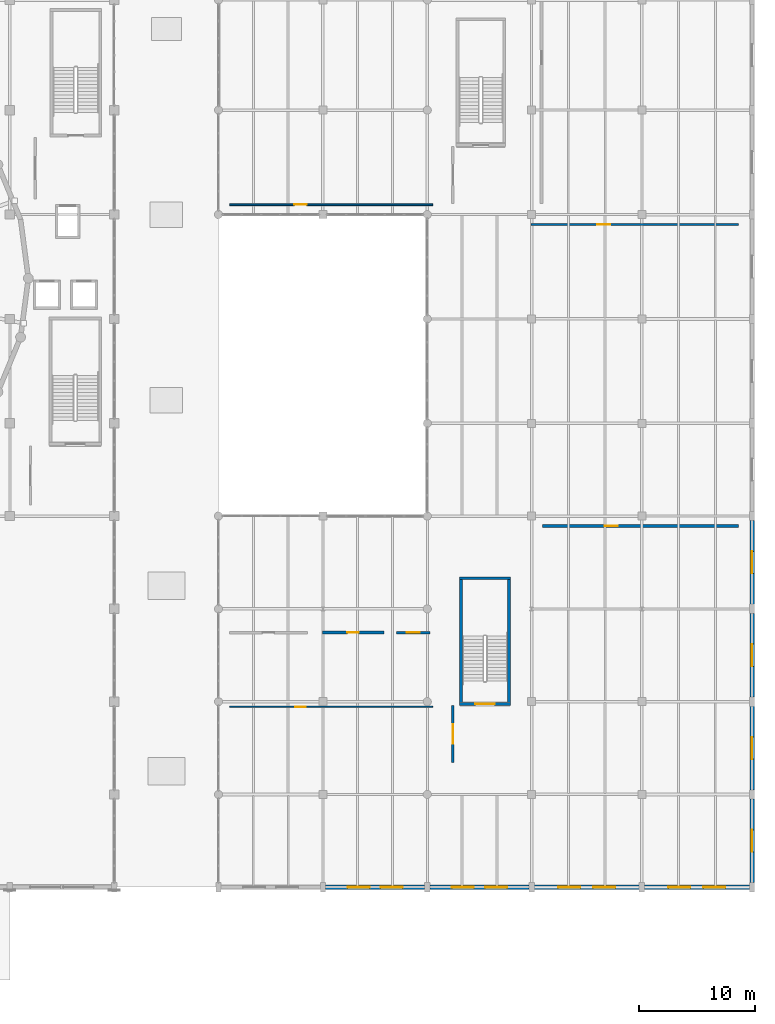
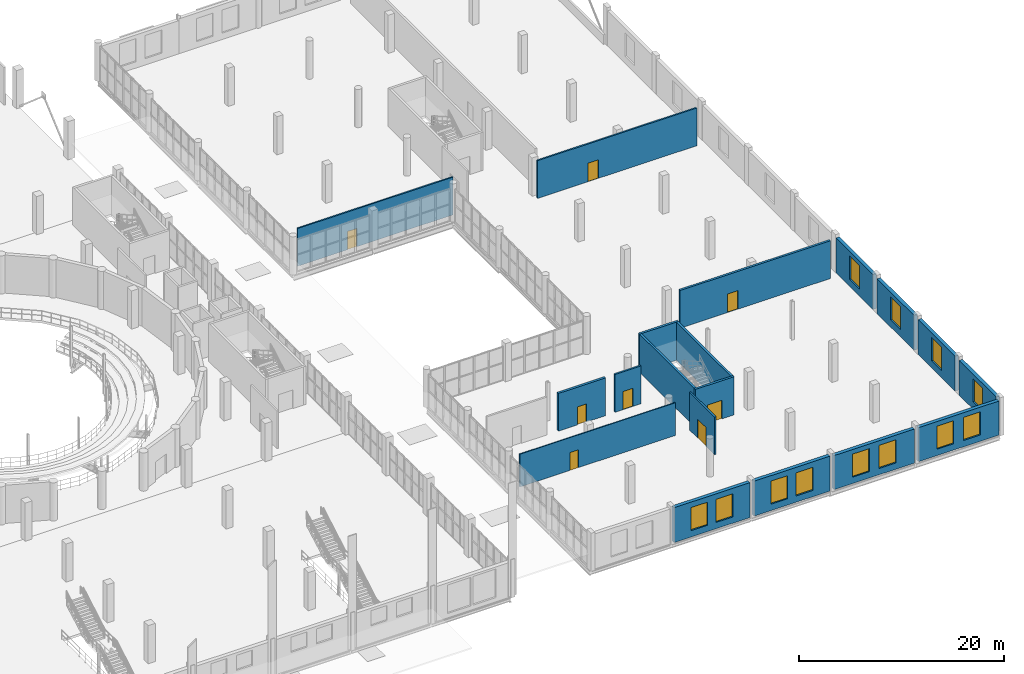
# One storey, part 75 of 93: 19 walls, 12 windows, 8 doors, 20 openings.
"""IFC4 building model written with IfcOpenShell, lengths in metres."""

from ifc_helpers import new_model, si_unit, direction, frame, frame_2d, origin, place, context, subcontext, project, spatial, rectangle, extrude, material, layer, layer_set, type_object, element, fill, save


model = new_model("IFC4")

# Units and contexts
model_context = context("Model", 3, precision=1e-05, world=origin(), true_north=direction((0.0, 1.0)))
body_context = subcontext(model_context, "Body", "Model", "MODEL_VIEW")
ifc_project = project(units=[si_unit("LENGTHUNIT", "METRE"), si_unit("AREAUNIT", "SQUARE_METRE"), si_unit("VOLUMEUNIT", "CUBIC_METRE"), si_unit("PLANEANGLEUNIT", "RADIAN"), si_unit("MASSUNIT", "GRAM", prefix="KILO")], contexts=[model_context])

# Site, building, storey
site_placement = place(None, origin())
site = spatial("IfcSite", under=ifc_project, at=site_placement, CompositionType="ELEMENT")
building_placement = place(site_placement, origin())
building = spatial("IfcBuilding", under=site, at=building_placement, Name="Marnock Terrace Opera House", CompositionType="ELEMENT")
storey_placement = place(building_placement, frame((0.0, 0.0, 5.39990234375)))
storey = spatial("IfcBuildingStorey", under=building, at=storey_placement, Name="L01", CompositionType="ELEMENT", Elevation=5.39990234375)

# Wall, openings, windows
ifc_material_1 = material(Name="Basket Range sandstone ashlar masonry", Category="masonry")
ifc_layer_1 = layer(ifc_material_1, 0.389892578125)
ifc_layer_set_1 = layer_set([ifc_layer_1], Name="Basket Range sandstone ashlar masonry")
wall_type_1 = type_object("IfcWallType", Name="EW-ASHLAR-390", PredefinedType="SOLIDWALL", material=ifc_layer_set_1)
wall_1_placement = place(storey_placement, frame((127.220947265625, 8.0, 0.0), z_axis=(0.0, 0.0, 1.0), x_axis=(1.0, 0.0, 0.0)))
wall_1 = element("IfcWall", 1, at=wall_1_placement, inside=storey, type_object=wall_type_1, Name="L01 Volume 5 south sandstone facade 2", PredefinedType="SOLIDWALL", context=body_context, shape_type="SweptSolid", body=[
    extrude(rectangle(XDim=8.55810546875, YDim=0.389892578125, at=frame_2d((4.279052734375, 0.0))), origin(), (0.0, 0.0, 1.0), 4.151611328125),
])
opening_1_placement = place(wall_1_placement, frame((1.902587890625, 0.0, 0.75)))
opening_1 = element("IfcOpeningElement", 2, at=opening_1_placement, cuts=wall_1, Name="Opening WT-25", PredefinedType="OPENING", context=body_context, shape_type="SweptSolid", body=[
    extrude(rectangle(XDim=1.89990234375, YDim=2.75, at=frame_2d((0.949951171875, 1.375))), frame((0.0, 0.204833984375, 0.0), z_axis=(0.0, -1.0, 0.0), x_axis=(1.0, 0.0, 0.0)), (0.0, 0.0, 1.0), 0.409912109375),
])
opening_2_placement = place(wall_1_placement, frame((4.75537109375, 0.0, 0.75)))
opening_2 = element("IfcOpeningElement", 3, at=opening_2_placement, cuts=wall_1, Name="Opening WT-25", PredefinedType="OPENING", context=body_context, shape_type="SweptSolid", body=[
    extrude(rectangle(XDim=1.89990234375, YDim=2.75, at=frame_2d((0.949951171875, 1.375))), frame((0.0, 0.204833984375, 0.0), z_axis=(0.0, -1.0, 0.0), x_axis=(1.0, 0.0, 0.0)), (0.0, 0.0, 1.0), 0.409912109375),
])
ifc_material_2 = material(Name="Double-glazed acoustic low-E laminated glass", Category="glass")
window_type = type_object("IfcWindowType", Name="WT-ARCH-1900", PartitioningType="DOUBLE_PANEL_VERTICAL", PredefinedType="WINDOW", material=ifc_material_2)
window_1_placement = place(opening_1_placement, origin())
window_1 = element("IfcWindow", 4, at=window_1_placement, inside=storey, type_object=window_type, Name="L01 facade window EW-V5S-L01-2.1", OverallHeight=2.75, OverallWidth=1.89990234375, PartitioningType="SINGLE_PANEL", PredefinedType="WINDOW", context=body_context, shape_type="SweptSolid", body=[
    extrude(rectangle(XDim=1.89990234375, YDim=2.75, at=frame_2d((0.949951171875, 1.375))), frame((0.0, 0.030029296875, 0.0), z_axis=(0.0, -1.0, 0.0), x_axis=(1.0, 0.0, 0.0)), (0.0, 0.0, 1.0), 0.06005859375),
])
fill(opening_1, window_1)
window_2_placement = place(opening_2_placement, origin())
window_2 = element("IfcWindow", 5, at=window_2_placement, inside=storey, type_object=window_type, Name="L01 facade window EW-V5S-L01-2.2", OverallHeight=2.75, OverallWidth=1.89990234375, PartitioningType="SINGLE_PANEL", PredefinedType="WINDOW", context=body_context, shape_type="SweptSolid", body=[
    extrude(rectangle(XDim=1.89990234375, YDim=2.75, at=frame_2d((0.949951171875, 1.375))), frame((0.0, 0.030029296875, 0.0), z_axis=(0.0, -1.0, 0.0), x_axis=(1.0, 0.0, 0.0)), (0.0, 0.0, 1.0), 0.06005859375),
])
fill(opening_2, window_2)

wall_2_placement = place(storey_placement, frame((136.220947265625, 8.0, 0.0), z_axis=(0.0, 0.0, 1.0), x_axis=(1.0, 0.0, 0.0)))
wall_2 = element("IfcWall", 6, at=wall_2_placement, inside=storey, type_object=wall_type_1, Name="L01 Volume 5 south sandstone facade 3", PredefinedType="SOLIDWALL", context=body_context, shape_type="SweptSolid", body=[
    extrude(rectangle(XDim=8.55810546875, YDim=0.389892578125, at=frame_2d((4.279052734375, 0.0))), origin(), (0.0, 0.0, 1.0), 4.151611328125),
])
opening_3_placement = place(wall_2_placement, frame((1.902587890625, 0.0, 0.75)))
opening_3 = element("IfcOpeningElement", 7, at=opening_3_placement, cuts=wall_2, Name="Opening WT-25", PredefinedType="OPENING", context=body_context, shape_type="SweptSolid", body=[
    extrude(rectangle(XDim=1.89990234375, YDim=2.75, at=frame_2d((0.949951171875, 1.375))), frame((0.0, 0.204833984375, 0.0), z_axis=(0.0, -1.0, 0.0), x_axis=(1.0, 0.0, 0.0)), (0.0, 0.0, 1.0), 0.409912109375),
])
opening_4_placement = place(wall_2_placement, frame((4.75537109375, 0.0, 0.75)))
opening_4 = element("IfcOpeningElement", 8, at=opening_4_placement, cuts=wall_2, Name="Opening WT-25", PredefinedType="OPENING", context=body_context, shape_type="SweptSolid", body=[
    extrude(rectangle(XDim=1.89990234375, YDim=2.75, at=frame_2d((0.949951171875, 1.375))), frame((0.0, 0.204833984375, 0.0), z_axis=(0.0, -1.0, 0.0), x_axis=(1.0, 0.0, 0.0)), (0.0, 0.0, 1.0), 0.409912109375),
])
window_3_placement = place(opening_3_placement, origin())
window_3 = element("IfcWindow", 9, at=window_3_placement, inside=storey, type_object=window_type, Name="L01 facade window EW-V5S-L01-3.1", OverallHeight=2.75, OverallWidth=1.89990234375, PartitioningType="SINGLE_PANEL", PredefinedType="WINDOW", context=body_context, shape_type="SweptSolid", body=[
    extrude(rectangle(XDim=1.89990234375, YDim=2.75, at=frame_2d((0.949951171875, 1.375))), frame((0.0, 0.030029296875, 0.0), z_axis=(0.0, -1.0, 0.0), x_axis=(1.0, 0.0, 0.0)), (0.0, 0.0, 1.0), 0.06005859375),
])
fill(opening_3, window_3)
window_4_placement = place(opening_4_placement, origin())
window_4 = element("IfcWindow", 10, at=window_4_placement, inside=storey, type_object=window_type, Name="L01 facade window EW-V5S-L01-3.2", OverallHeight=2.75, OverallWidth=1.89990234375, PartitioningType="SINGLE_PANEL", PredefinedType="WINDOW", context=body_context, shape_type="SweptSolid", body=[
    extrude(rectangle(XDim=1.89990234375, YDim=2.75, at=frame_2d((0.949951171875, 1.375))), frame((0.0, 0.030029296875, 0.0), z_axis=(0.0, -1.0, 0.0), x_axis=(1.0, 0.0, 0.0)), (0.0, 0.0, 1.0), 0.06005859375),
])
fill(opening_4, window_4)

wall_3_placement = place(storey_placement, frame((145.220947265625, 8.0, 0.0), z_axis=(0.0, 0.0, 1.0), x_axis=(1.0, 0.0, 0.0)))
wall_3 = element("IfcWall", 11, at=wall_3_placement, inside=storey, type_object=wall_type_1, Name="L01 Volume 5 south sandstone facade 4", PredefinedType="SOLIDWALL", context=body_context, shape_type="SweptSolid", body=[
    extrude(rectangle(XDim=9.05810546875, YDim=0.389892578125, at=frame_2d((4.529052734375, 0.0))), origin(), (0.0, 0.0, 1.0), 4.0498046875),
])
opening_5_placement = place(wall_3_placement, frame((2.0693359375, 0.0, 0.75)))
opening_5 = element("IfcOpeningElement", 12, at=opening_5_placement, cuts=wall_3, Name="Opening WT-25", PredefinedType="OPENING", context=body_context, shape_type="SweptSolid", body=[
    extrude(rectangle(XDim=1.89990234375, YDim=2.75, at=frame_2d((0.949951171875, 1.375))), frame((0.0, 0.204833984375, 0.0), z_axis=(0.0, -1.0, 0.0), x_axis=(1.0, 0.0, 0.0)), (0.0, 0.0, 1.0), 0.409912109375),
])
opening_6_placement = place(wall_3_placement, frame((5.088623046875, 0.0, 0.75)))
opening_6 = element("IfcOpeningElement", 13, at=opening_6_placement, cuts=wall_3, Name="Opening WT-25", PredefinedType="OPENING", context=body_context, shape_type="SweptSolid", body=[
    extrude(rectangle(XDim=1.89990234375, YDim=2.75, at=frame_2d((0.949951171875, 1.375))), frame((0.0, 0.204833984375, 0.0), z_axis=(0.0, -1.0, 0.0), x_axis=(1.0, 0.0, 0.0)), (0.0, 0.0, 1.0), 0.409912109375),
])
window_5_placement = place(opening_5_placement, origin())
window_5 = element("IfcWindow", 14, at=window_5_placement, inside=storey, type_object=window_type, Name="L01 facade window EW-V5S-L01-4.1", OverallHeight=2.75, OverallWidth=1.89990234375, PartitioningType="SINGLE_PANEL", PredefinedType="WINDOW", context=body_context, shape_type="SweptSolid", body=[
    extrude(rectangle(XDim=1.89990234375, YDim=2.75, at=frame_2d((0.949951171875, 1.375))), frame((0.0, 0.030029296875, 0.0), z_axis=(0.0, -1.0, 0.0), x_axis=(1.0, 0.0, 0.0)), (0.0, 0.0, 1.0), 0.06005859375),
])
fill(opening_5, window_5)
window_6_placement = place(opening_6_placement, origin())
window_6 = element("IfcWindow", 15, at=window_6_placement, inside=storey, type_object=window_type, Name="L01 facade window EW-V5S-L01-4.2", OverallHeight=2.75, OverallWidth=1.89990234375, PartitioningType="SINGLE_PANEL", PredefinedType="WINDOW", context=body_context, shape_type="SweptSolid", body=[
    extrude(rectangle(XDim=1.89990234375, YDim=2.75, at=frame_2d((0.949951171875, 1.375))), frame((0.0, 0.030029296875, 0.0), z_axis=(0.0, -1.0, 0.0), x_axis=(1.0, 0.0, 0.0)), (0.0, 0.0, 1.0), 0.06005859375),
])
fill(opening_6, window_6)

wall_4_placement = place(storey_placement, frame((154.720947265625, 8.0, 0.0), z_axis=(0.0, 0.0, 1.0), x_axis=(1.0, 0.0, 0.0)))
wall_4 = element("IfcWall", 16, at=wall_4_placement, inside=storey, type_object=wall_type_1, Name="L01 Volume 5 south sandstone facade 5", PredefinedType="SOLIDWALL", context=body_context, shape_type="SweptSolid", body=[
    extrude(rectangle(XDim=9.05810546875, YDim=0.389892578125, at=frame_2d((4.529052734375, 0.0))), origin(), (0.0, 0.0, 1.0), 4.0498046875),
])
opening_7_placement = place(wall_4_placement, frame((2.0693359375, 0.0, 0.75)))
opening_7 = element("IfcOpeningElement", 17, at=opening_7_placement, cuts=wall_4, Name="Opening WT-25", PredefinedType="OPENING", context=body_context, shape_type="SweptSolid", body=[
    extrude(rectangle(XDim=1.89990234375, YDim=2.75, at=frame_2d((0.949951171875, 1.375))), frame((0.0, 0.204833984375, 0.0), z_axis=(0.0, -1.0, 0.0), x_axis=(1.0, 0.0, 0.0)), (0.0, 0.0, 1.0), 0.409912109375),
])
opening_8_placement = place(wall_4_placement, frame((5.088623046875, 0.0, 0.75)))
opening_8 = element("IfcOpeningElement", 18, at=opening_8_placement, cuts=wall_4, Name="Opening WT-25", PredefinedType="OPENING", context=body_context, shape_type="SweptSolid", body=[
    extrude(rectangle(XDim=1.89990234375, YDim=2.75, at=frame_2d((0.949951171875, 1.375))), frame((0.0, 0.204833984375, 0.0), z_axis=(0.0, -1.0, 0.0), x_axis=(1.0, 0.0, 0.0)), (0.0, 0.0, 1.0), 0.409912109375),
])
window_7_placement = place(opening_7_placement, origin())
window_7 = element("IfcWindow", 19, at=window_7_placement, inside=storey, type_object=window_type, Name="L01 facade window EW-V5S-L01-5.1", OverallHeight=2.75, OverallWidth=1.89990234375, PartitioningType="SINGLE_PANEL", PredefinedType="WINDOW", context=body_context, shape_type="SweptSolid", body=[
    extrude(rectangle(XDim=1.89990234375, YDim=2.75, at=frame_2d((0.949951171875, 1.375))), frame((0.0, 0.030029296875, 0.0), z_axis=(0.0, -1.0, 0.0), x_axis=(1.0, 0.0, 0.0)), (0.0, 0.0, 1.0), 0.06005859375),
])
fill(opening_7, window_7)
window_8_placement = place(opening_8_placement, origin())
window_8 = element("IfcWindow", 20, at=window_8_placement, inside=storey, type_object=window_type, Name="L01 facade window EW-V5S-L01-5.2", OverallHeight=2.75, OverallWidth=1.89990234375, PartitioningType="SINGLE_PANEL", PredefinedType="WINDOW", context=body_context, shape_type="SweptSolid", body=[
    extrude(rectangle(XDim=1.89990234375, YDim=2.75, at=frame_2d((0.949951171875, 1.375))), frame((0.0, 0.030029296875, 0.0), z_axis=(0.0, -1.0, 0.0), x_axis=(1.0, 0.0, 0.0)), (0.0, 0.0, 1.0), 0.06005859375),
])
fill(opening_8, window_8)

# Wall, opening, window
wall_5_placement = place(storey_placement, frame((164.0, 8.39599609375, 0.0), z_axis=(0.0, 0.0, 1.0), x_axis=(0.0, 1.0, 0.0)))
wall_5 = element("IfcWall", 21, at=wall_5_placement, inside=storey, type_object=wall_type_1, Name="L01 Volume 5 east sandstone facade 1", PredefinedType="SOLIDWALL", context=body_context, shape_type="SweptSolid", body=[
    extrude(rectangle(XDim=7.2080078125, YDim=0.389892578125, at=frame_2d((3.60400390625, 0.0))), origin(), (0.0, 0.0, 1.0), 4.151611328125),
])
opening_9_placement = place(wall_5_placement, frame((2.654052734375, 0.0, 0.85009765625)))
opening_9 = element("IfcOpeningElement", 22, at=opening_9_placement, cuts=wall_5, Name="Opening WT-25", PredefinedType="OPENING", context=body_context, shape_type="SweptSolid", body=[
    extrude(rectangle(XDim=1.89990234375, YDim=2.75, at=frame_2d((0.949951171875, 1.375))), frame((0.0, 0.204833984375, 0.0), z_axis=(0.0, -1.0, 0.0), x_axis=(1.0, 0.0, 0.0)), (0.0, 0.0, 1.0), 0.409912109375),
])
window_9_placement = place(opening_9_placement, origin())
window_9 = element("IfcWindow", 23, at=window_9_placement, inside=storey, type_object=window_type, Name="L01 facade window EW-V5E-L01-01.1", OverallHeight=2.75, OverallWidth=1.89990234375, PartitioningType="SINGLE_PANEL", PredefinedType="WINDOW", context=body_context, shape_type="SweptSolid", body=[
    extrude(rectangle(XDim=1.89990234375, YDim=2.75, at=frame_2d((0.949951171875, 1.375))), frame((0.0, 0.030029296875, 0.0), z_axis=(0.0, -1.0, 0.0), x_axis=(1.0, 0.0, 0.0)), (0.0, 0.0, 1.0), 0.06005859375),
])
fill(opening_9, window_9)

wall_6_placement = place(storey_placement, frame((164.0, 16.39599609375, 0.0), z_axis=(0.0, 0.0, 1.0), x_axis=(0.0, 1.0, 0.0)))
wall_6 = element("IfcWall", 24, at=wall_6_placement, inside=storey, type_object=wall_type_1, Name="L01 Volume 5 east sandstone facade 2", PredefinedType="SOLIDWALL", context=body_context, shape_type="SweptSolid", body=[
    extrude(rectangle(XDim=7.2080078125, YDim=0.389892578125, at=frame_2d((3.60400390625, 0.0))), origin(), (0.0, 0.0, 1.0), 4.151611328125),
])
opening_10_placement = place(wall_6_placement, frame((2.654052734375, 0.0, 0.85009765625)))
opening_10 = element("IfcOpeningElement", 25, at=opening_10_placement, cuts=wall_6, Name="Opening WT-25", PredefinedType="OPENING", context=body_context, shape_type="SweptSolid", body=[
    extrude(rectangle(XDim=1.89990234375, YDim=2.75, at=frame_2d((0.949951171875, 1.375))), frame((0.0, 0.204833984375, 0.0), z_axis=(0.0, -1.0, 0.0), x_axis=(1.0, 0.0, 0.0)), (0.0, 0.0, 1.0), 0.409912109375),
])
window_10_placement = place(opening_10_placement, origin())
window_10 = element("IfcWindow", 26, at=window_10_placement, inside=storey, type_object=window_type, Name="L01 facade window EW-V5E-L01-02.1", OverallHeight=2.75, OverallWidth=1.89990234375, PartitioningType="SINGLE_PANEL", PredefinedType="WINDOW", context=body_context, shape_type="SweptSolid", body=[
    extrude(rectangle(XDim=1.89990234375, YDim=2.75, at=frame_2d((0.949951171875, 1.375))), frame((0.0, 0.030029296875, 0.0), z_axis=(0.0, -1.0, 0.0), x_axis=(1.0, 0.0, 0.0)), (0.0, 0.0, 1.0), 0.06005859375),
])
fill(opening_10, window_10)

wall_7_placement = place(storey_placement, frame((164.0, 24.39599609375, 0.0), z_axis=(0.0, 0.0, 1.0), x_axis=(0.0, 1.0, 0.0)))
wall_7 = element("IfcWall", 27, at=wall_7_placement, inside=storey, type_object=wall_type_1, Name="L01 Volume 5 east sandstone facade 3", PredefinedType="SOLIDWALL", context=body_context, shape_type="SweptSolid", body=[
    extrude(rectangle(XDim=7.2080078125, YDim=0.389892578125, at=frame_2d((3.60400390625, 0.0))), origin(), (0.0, 0.0, 1.0), 4.151611328125),
])
opening_11_placement = place(wall_7_placement, frame((2.654052734375, 0.0, 0.85009765625)))
opening_11 = element("IfcOpeningElement", 28, at=opening_11_placement, cuts=wall_7, Name="Opening WT-25", PredefinedType="OPENING", context=body_context, shape_type="SweptSolid", body=[
    extrude(rectangle(XDim=1.89990234375, YDim=2.75, at=frame_2d((0.949951171875, 1.375))), frame((0.0, 0.204833984375, 0.0), z_axis=(0.0, -1.0, 0.0), x_axis=(1.0, 0.0, 0.0)), (0.0, 0.0, 1.0), 0.409912109375),
])
window_11_placement = place(opening_11_placement, origin())
window_11 = element("IfcWindow", 29, at=window_11_placement, inside=storey, type_object=window_type, Name="L01 facade window EW-V5E-L01-03.1", OverallHeight=2.75, OverallWidth=1.89990234375, PartitioningType="SINGLE_PANEL", PredefinedType="WINDOW", context=body_context, shape_type="SweptSolid", body=[
    extrude(rectangle(XDim=1.89990234375, YDim=2.75, at=frame_2d((0.949951171875, 1.375))), frame((0.0, 0.030029296875, 0.0), z_axis=(0.0, -1.0, 0.0), x_axis=(1.0, 0.0, 0.0)), (0.0, 0.0, 1.0), 0.06005859375),
])
fill(opening_11, window_11)

wall_8_placement = place(storey_placement, frame((164.0, 32.39599609375, 0.0), z_axis=(0.0, 0.0, 1.0), x_axis=(0.0, 1.0, 0.0)))
wall_8 = element("IfcWall", 30, at=wall_8_placement, inside=storey, type_object=wall_type_1, Name="L01 Volume 5 east sandstone facade 4", PredefinedType="SOLIDWALL", context=body_context, shape_type="SweptSolid", body=[
    extrude(rectangle(XDim=7.2080078125, YDim=0.389892578125, at=frame_2d((3.60400390625, 0.0))), origin(), (0.0, 0.0, 1.0), 4.151611328125),
])
opening_12_placement = place(wall_8_placement, frame((2.654052734375, 0.0, 0.85009765625)))
opening_12 = element("IfcOpeningElement", 31, at=opening_12_placement, cuts=wall_8, Name="Opening WT-25", PredefinedType="OPENING", context=body_context, shape_type="SweptSolid", body=[
    extrude(rectangle(XDim=1.89990234375, YDim=2.75, at=frame_2d((0.949951171875, 1.375))), frame((0.0, 0.204833984375, 0.0), z_axis=(0.0, -1.0, 0.0), x_axis=(1.0, 0.0, 0.0)), (0.0, 0.0, 1.0), 0.409912109375),
])
window_12_placement = place(opening_12_placement, origin())
window_12 = element("IfcWindow", 32, at=window_12_placement, inside=storey, type_object=window_type, Name="L01 facade window EW-V5E-L01-04.1", OverallHeight=2.75, OverallWidth=1.89990234375, PartitioningType="SINGLE_PANEL", PredefinedType="WINDOW", context=body_context, shape_type="SweptSolid", body=[
    extrude(rectangle(XDim=1.89990234375, YDim=2.75, at=frame_2d((0.949951171875, 1.375))), frame((0.0, 0.030029296875, 0.0), z_axis=(0.0, -1.0, 0.0), x_axis=(1.0, 0.0, 0.0)), (0.0, 0.0, 1.0), 0.06005859375),
])
fill(opening_12, window_12)

# Wall, opening, door
ifc_material_3 = material(Name="Double-stud acoustic plasterboard with mineral-wool infill")
ifc_layer_2 = layer(ifc_material_3, 0.239990234375)
ifc_layer_set_2 = layer_set([ifc_layer_2], Name="Double-stud acoustic plasterboard with mineral-wool infill")
wall_type_2 = type_object("IfcWallType", Name="IW-ACOUSTIC-240", PredefinedType="PARTITIONING", material=ifc_layer_set_2)
wall_9_placement = place(storey_placement, frame((145.949951171875, 39.14990234375, 0.0), z_axis=(0.0, 0.0, 1.0), x_axis=(1.0, 0.0, 0.0)))
wall_9 = element("IfcWall", 33, at=wall_9_placement, inside=storey, type_object=wall_type_2, Name="L01 Principal Dressing Room 03 acoustic partition wall", PredefinedType="PARTITIONING", context=body_context, shape_type="SweptSolid", body=[
    extrude(rectangle(XDim=16.900146484375, YDim=0.239990234375, at=frame_2d((8.4501953125, 0.0))), origin(), (0.0, 0.0, 1.0), 4.489990234375),
])
opening_13_placement = place(wall_9_placement, frame((5.344970703125, 0.0, 0.0)))
opening_13 = element("IfcOpeningElement", 34, at=opening_13_placement, cuts=wall_9, Name="Opening D-L01-21", PredefinedType="OPENING", context=body_context, shape_type="SweptSolid", body=[
    extrude(rectangle(XDim=1.139892578125, YDim=2.199951171875, at=frame_2d((0.56982421875, 1.10009765625))), frame((0.0, 0.1298828125, 0.0), z_axis=(0.0, -1.0, 0.0), x_axis=(1.0, 0.0, 0.0)), (0.0, 0.0, 1.0), 0.260009765625),
])
ifc_material_4 = material(Name="Solid-core Tasmanian oak acoustic door leaf")
door_type_1 = type_object("IfcDoorType", Name="DT-DRESS-1140", OperationType="NOTDEFINED", PredefinedType="DOOR", material=ifc_material_4)
door_1_placement = place(opening_13_placement, origin())
door_1 = element("IfcDoor", 35, at=door_1_placement, inside=storey, type_object=door_type_1, Name="L01 Principal Dressing Room 03 entrance door", OperationType="SINGLE_SWING_RIGHT", OverallHeight=2.199951171875, OverallWidth=1.139892578125, PredefinedType="DOOR", context=body_context, shape_type="SweptSolid", body=[
    extrude(rectangle(XDim=1.139892578125, YDim=2.199951171875, at=frame_2d((0.56982421875, 1.10009765625))), frame((0.0, 0.02490234375, 0.0), z_axis=(0.0, -1.0, 0.0), x_axis=(1.0, 0.0, 0.0)), (0.0, 0.0, 1.0), 0.050048828125),
])
fill(opening_13, door_1)

ifc_material_5 = material(Name="Rendered acoustic concrete blockwork", Category="masonry")
ifc_layer_3 = layer(ifc_material_5, 0.175048828125)
ifc_layer_set_3 = layer_set([ifc_layer_3], Name="Rendered acoustic concrete blockwork")
wall_type_3 = type_object("IfcWallType", Name="IW-FIRE-175", PredefinedType="PARTITIONING", material=ifc_layer_set_3)
wall_10_placement = place(storey_placement, frame((144.949951171875, 65.14990234375, 0.0), z_axis=(0.0, 0.0, 1.0), x_axis=(1.0, 0.0, 0.0)))
wall_10 = element("IfcWall", 36, at=wall_10_placement, inside=storey, type_object=wall_type_3, Name="L01 Chorus Dressing Room Women acoustic partition wall", PredefinedType="PARTITIONING", context=body_context, shape_type="SweptSolid", body=[
    extrude(rectangle(XDim=17.900146484375, YDim=0.175048828125, at=frame_2d((8.9501953125, 0.0))), origin(), (0.0, 0.0, 1.0), 4.489990234375),
])
opening_14_placement = place(wall_10_placement, frame((5.695068359375, 0.0, 0.0)))
opening_14 = element("IfcOpeningElement", 37, at=opening_14_placement, cuts=wall_10, Name="Opening D-L01-23", PredefinedType="OPENING", context=body_context, shape_type="SweptSolid", body=[
    extrude(rectangle(XDim=1.139892578125, YDim=2.199951171875, at=frame_2d((0.56982421875, 1.10009765625))), frame((0.0, 0.097412109375, 0.0), z_axis=(0.0, -1.0, 0.0), x_axis=(1.0, 0.0, 0.0)), (0.0, 0.0, 1.0), 0.195068359375),
])
door_2_placement = place(opening_14_placement, origin())
door_2 = element("IfcDoor", 38, at=door_2_placement, inside=storey, type_object=door_type_1, Name="L01 Chorus Dressing Room Women entrance door", OperationType="SINGLE_SWING_RIGHT", OverallHeight=2.199951171875, OverallWidth=1.139892578125, PredefinedType="DOOR", context=body_context, shape_type="SweptSolid", body=[
    extrude(rectangle(XDim=1.139892578125, YDim=2.199951171875, at=frame_2d((0.56982421875, 1.10009765625))), frame((0.0, 0.02490234375, 0.0), z_axis=(0.0, -1.0, 0.0), x_axis=(1.0, 0.0, 0.0)), (0.0, 0.0, 1.0), 0.050048828125),
])
fill(opening_14, door_2)

ifc_layer_4 = layer(ifc_material_5, 0.18505859375)
ifc_layer_set_4 = layer_set([ifc_layer_4], Name="Rendered acoustic concrete blockwork")
wall_type_4 = type_object("IfcWallType", Name="IW-FIRE-185", PredefinedType="PARTITIONING", material=ifc_layer_set_4)
wall_11_placement = place(storey_placement, frame((138.199951171875, 18.75, 0.0), z_axis=(0.0, 0.0, 1.0), x_axis=(0.0, 1.0, 0.0)))
wall_11 = element("IfcWall", 39, at=wall_11_placement, inside=storey, type_object=wall_type_4, Name="L01 C6 fire-rated lift and stair lobby wall", PredefinedType="PARTITIONING", context=body_context, shape_type="SweptSolid", body=[
    extrude(rectangle(XDim=4.89990234375, YDim=0.18505859375, at=frame_2d((2.449951171875, 0.0))), origin(), (0.0, 0.0, 1.0), 4.489990234375),
])
opening_15_placement = place(wall_11_placement, frame((1.610107421875, 0.0, 0.0)))
opening_15 = element("IfcOpeningElement", 40, at=opening_15_placement, cuts=wall_11, Name="Opening FD-C6-L01", PredefinedType="OPENING", context=body_context, shape_type="SweptSolid", body=[
    extrude(rectangle(XDim=1.679931640625, YDim=2.25, at=frame_2d((0.83984375, 1.125))), frame((0.0, 0.1025390625, 0.0), z_axis=(0.0, -1.0, 0.0), x_axis=(1.0, 0.0, 0.0)), (0.0, 0.0, 1.0), 0.205078125),
])
ifc_material_6 = material(Name="Fire-rated acoustic timber-core door assembly", Category="wood")
door_type_2 = type_object("IfcDoorType", Name="DT-LOBBY-1680", OperationType="NOTDEFINED", PredefinedType="DOOR", material=ifc_material_6)
door_3_placement = place(opening_15_placement, origin())
door_3 = element("IfcDoor", 41, at=door_3_placement, inside=storey, type_object=door_type_2, Name="L01 C6 lobby self-closing smoke door", OperationType="SINGLE_SWING_RIGHT", OverallHeight=2.25, OverallWidth=1.679931640625, PredefinedType="DOOR", context=body_context, shape_type="SweptSolid", body=[
    extrude(rectangle(XDim=1.679931640625, YDim=2.25, at=frame_2d((0.83984375, 1.125))), frame((0.0, 0.02490234375, 0.0), z_axis=(0.0, -1.0, 0.0), x_axis=(1.0, 0.0, 0.0)), (0.0, 0.0, 1.0), 0.050048828125),
])
fill(opening_15, door_3)

ifc_layer_5 = layer(ifc_material_3, 0.10791015625)
ifc_layer_set_5 = layer_set([ifc_layer_5], Name="Double-stud acoustic plasterboard with mineral-wool infill")
wall_type_5 = type_object("IfcWallType", Name="IW-PART-108", PredefinedType="PARTITIONING", material=ifc_layer_set_5)
wall_12_placement = place(storey_placement, frame((118.949951171875, 23.550048828125, 0.0), z_axis=(0.0, 0.0, 1.0), x_axis=(1.0, 0.0, 0.0)))
wall_12 = element("IfcWall", 42, at=wall_12_placement, inside=storey, type_object=wall_type_5, Name="L01 Lyric Terrace Dining Room acoustic partition wall", PredefinedType="PARTITIONING", context=body_context, shape_type="SweptSolid", body=[
    extrude(rectangle(XDim=17.5, YDim=0.10791015625, at=frame_2d((8.75, 0.0))), origin(), (0.0, 0.0, 1.0), 3.8984375),
])
opening_16_placement = place(wall_12_placement, frame((5.6650390625, 0.0, 0.0)))
opening_16 = element("IfcOpeningElement", 43, at=opening_16_placement, cuts=wall_12, Name="Opening D-L01-20", PredefinedType="OPENING", context=body_context, shape_type="SweptSolid", body=[
    extrude(rectangle(XDim=0.919921875, YDim=2.1201171875, at=frame_2d((0.4599609375, 1.06005859375))), frame((0.0, 0.06396484375, 0.0), z_axis=(0.0, -1.0, 0.0), x_axis=(1.0, 0.0, 0.0)), (0.0, 0.0, 1.0), 0.1279296875),
])
door_type_3 = type_object("IfcDoorType", Name="DT-ROOM-920", OperationType="NOTDEFINED", PredefinedType="DOOR", material=ifc_material_4)
door_4_placement = place(opening_16_placement, origin())
door_4 = element("IfcDoor", 44, at=door_4_placement, inside=storey, type_object=door_type_3, Name="L01 Lyric Terrace Dining Room entrance door", OperationType="SINGLE_SWING_LEFT", OverallHeight=2.1201171875, OverallWidth=0.919921875, PredefinedType="DOOR", context=body_context, shape_type="SweptSolid", body=[
    extrude(rectangle(XDim=0.919921875, YDim=2.1201171875, at=frame_2d((0.4599609375, 1.06005859375))), frame((0.0, 0.02490234375, 0.0), z_axis=(0.0, -1.0, 0.0), x_axis=(1.0, 0.0, 0.0)), (0.0, 0.0, 1.0), 0.050048828125),
])
fill(opening_16, door_4)

ifc_layer_6 = layer(ifc_material_3, 0.159912109375)
ifc_layer_set_6 = layer_set([ifc_layer_6], Name="Double-stud acoustic plasterboard with mineral-wool infill")
wall_type_6 = type_object("IfcWallType", Name="IW-PART-160", PredefinedType="PARTITIONING", material=ifc_layer_set_6)
wall_13_placement = place(storey_placement, frame((118.949951171875, 66.85009765625, 0.0), z_axis=(0.0, 0.0, 1.0), x_axis=(1.0, 0.0, 0.0)))
wall_13 = element("IfcWall", 45, at=wall_13_placement, inside=storey, type_object=wall_type_6, Name="L01 Chorus Dressing Room Men acoustic partition wall", PredefinedType="PARTITIONING", context=body_context, shape_type="SweptSolid", body=[
    extrude(rectangle(XDim=17.5, YDim=0.159912109375, at=frame_2d((8.75, 0.0))), origin(), (0.0, 0.0, 1.0), 4.489990234375),
])
opening_17_placement = place(wall_13_placement, frame((5.5849609375, 0.0, 0.0)))
opening_17 = element("IfcOpeningElement", 46, at=opening_17_placement, cuts=wall_13, Name="Opening D-L01-24", PredefinedType="OPENING", context=body_context, shape_type="SweptSolid", body=[
    extrude(rectangle(XDim=1.080078125, YDim=2.179931640625, at=frame_2d((0.5400390625, 1.08984375))), frame((0.0, 0.08984375, 0.0), z_axis=(0.0, -1.0, 0.0), x_axis=(1.0, 0.0, 0.0)), (0.0, 0.0, 1.0), 0.179931640625),
])
door_type_4 = type_object("IfcDoorType", Name="DT-DRESS-1080", OperationType="NOTDEFINED", PredefinedType="DOOR", material=ifc_material_4)
door_5_placement = place(opening_17_placement, origin())
door_5 = element("IfcDoor", 47, at=door_5_placement, inside=storey, type_object=door_type_4, Name="L01 Chorus Dressing Room Men entrance door", OperationType="SINGLE_SWING_LEFT", OverallHeight=2.179931640625, OverallWidth=1.080078125, PredefinedType="DOOR", context=body_context, shape_type="SweptSolid", body=[
    extrude(rectangle(XDim=1.080078125, YDim=2.179931640625, at=frame_2d((0.5400390625, 1.08984375))), frame((0.0, 0.02490234375, 0.0), z_axis=(0.0, -1.0, 0.0), x_axis=(1.0, 0.0, 0.0)), (0.0, 0.0, 1.0), 0.050048828125),
])
fill(opening_17, door_5)

ifc_material_7 = material(Name="Moisture-resistant tiled service duct framing")
ifc_layer_7 = layer(ifc_material_7, 0.205078125)
ifc_layer_set_7 = layer_set([ifc_layer_7], Name="Moisture-resistant tiled service duct framing")
wall_type_7 = type_object("IfcWallType", Name="IW-PLUMB-205", PredefinedType="PLUMBINGWALL", material=ifc_layer_set_7)
wall_14_placement = place(storey_placement, frame((133.35009765625, 29.949951171875, 0.0), z_axis=(0.0, 0.0, 1.0), x_axis=(1.0, 0.0, 0.0)))
wall_14 = element("IfcWall", 48, at=wall_14_placement, inside=storey, type_object=wall_type_7, Name="L01 Accessible WC L01 East acoustic partition wall", PredefinedType="PLUMBINGWALL", context=body_context, shape_type="SweptSolid", body=[
    extrude(rectangle(XDim=2.89990234375, YDim=0.205078125, at=frame_2d((1.449951171875, 0.0))), origin(), (0.0, 0.0, 1.0), 4.489990234375),
])
opening_18_placement = place(wall_14_placement, frame((0.889892578125, 0.0, 0.0)))
opening_18 = element("IfcOpeningElement", 49, at=opening_18_placement, cuts=wall_14, Name="Opening D-L01-30", PredefinedType="OPENING", context=body_context, shape_type="SweptSolid", body=[
    extrude(rectangle(XDim=1.1201171875, YDim=2.159912109375, at=frame_2d((0.56005859375, 1.080078125))), frame((0.0, 0.112548828125, 0.0), z_axis=(0.0, -1.0, 0.0), x_axis=(1.0, 0.0, 0.0)), (0.0, 0.0, 1.0), 0.22509765625),
])
door_type_5 = type_object("IfcDoorType", Name="DT-ACCWC-1120", OperationType="NOTDEFINED", PredefinedType="DOOR", material=ifc_material_4)
door_6_placement = place(opening_18_placement, origin())
door_6 = element("IfcDoor", 50, at=door_6_placement, inside=storey, type_object=door_type_5, Name="L01 Accessible WC L01 East entrance door", OperationType="SINGLE_SWING_RIGHT", OverallHeight=2.159912109375, OverallWidth=1.1201171875, PredefinedType="DOOR", context=body_context, shape_type="SweptSolid", body=[
    extrude(rectangle(XDim=1.1201171875, YDim=2.159912109375, at=frame_2d((0.56005859375, 1.080078125))), frame((0.0, 0.02490234375, 0.0), z_axis=(0.0, -1.0, 0.0), x_axis=(1.0, 0.0, 0.0)), (0.0, 0.0, 1.0), 0.050048828125),
])
fill(opening_18, door_6)

ifc_layer_8 = layer(ifc_material_7, 0.264892578125)
ifc_layer_set_8 = layer_set([ifc_layer_8], Name="Moisture-resistant tiled service duct framing")
wall_type_8 = type_object("IfcWallType", Name="IW-PLUMB-265", PredefinedType="PLUMBINGWALL", material=ifc_layer_set_8)
wall_15_placement = place(storey_placement, frame((126.949951171875, 29.949951171875, 0.0), z_axis=(0.0, 0.0, 1.0), x_axis=(1.0, 0.0, 0.0)))
wall_15 = element("IfcWall", 51, at=wall_15_placement, inside=storey, type_object=wall_type_8, Name="L01 Public WC L01 East acoustic partition wall", PredefinedType="PLUMBINGWALL", context=body_context, shape_type="SweptSolid", body=[
    extrude(rectangle(XDim=5.300048828125, YDim=0.264892578125, at=frame_2d((2.64990234375, 0.0))), origin(), (0.0, 0.0, 1.0), 4.489990234375),
])
opening_19_placement = place(wall_15_placement, frame((2.159912109375, 0.0, 0.0)))
opening_19 = element("IfcOpeningElement", 52, at=opening_19_placement, cuts=wall_15, Name="Opening D-L01-29", PredefinedType="OPENING", context=body_context, shape_type="SweptSolid", body=[
    extrude(rectangle(XDim=0.97998046875, YDim=2.139892578125, at=frame_2d((0.489990234375, 1.06982421875))), frame((0.0, 0.142333984375, 0.0), z_axis=(0.0, -1.0, 0.0), x_axis=(1.0, 0.0, 0.0)), (0.0, 0.0, 1.0), 0.284912109375),
])
door_type_6 = type_object("IfcDoorType", Name="DT-WC-980", OperationType="NOTDEFINED", PredefinedType="DOOR", material=ifc_material_4)
door_7_placement = place(opening_19_placement, origin())
door_7 = element("IfcDoor", 53, at=door_7_placement, inside=storey, type_object=door_type_6, Name="L01 Public WC L01 East entrance door", OperationType="SINGLE_SWING_LEFT", OverallHeight=2.139892578125, OverallWidth=0.97998046875, PredefinedType="DOOR", context=body_context, shape_type="SweptSolid", body=[
    extrude(rectangle(XDim=0.97998046875, YDim=2.139892578125, at=frame_2d((0.489990234375, 1.06982421875))), frame((0.0, 0.02490234375, 0.0), z_axis=(0.0, -1.0, 0.0), x_axis=(1.0, 0.0, 0.0)), (0.0, 0.0, 1.0), 0.050048828125),
])
fill(opening_19, door_7)

ifc_material_8 = material(Name="Concrete N40 (f'c = 40 MPa)", Category="concrete")
ifc_layer_9 = layer(ifc_material_8, 0.25)
ifc_layer_set_9 = layer_set([ifc_layer_9], Name="Concrete N40 (f'c = 40 MPa)")
wall_type_9 = type_object("IfcWallType", Name="SW-CORE-250", PredefinedType="SHEAR", material=ifc_layer_set_9)
wall_16_placement = place(storey_placement, frame((138.794921875, 23.800048828125, 0.0), z_axis=(0.0, 0.0, 1.0), x_axis=(1.0, 0.0, 0.0)))
wall_16 = element("IfcWall", 54, at=wall_16_placement, inside=storey, type_object=wall_type_9, Name="L01 Core C6 FRL 120/120/120 shear wall S", PredefinedType="SHEAR", context=body_context, shape_type="SweptSolid", body=[
    extrude(rectangle(XDim=4.3701171875, YDim=0.25, at=frame_2d((2.18505859375, 0.0))), origin(), (0.0, 0.0, 1.0), 4.5400390625),
])
opening_20_placement = place(wall_16_placement, frame((1.360107421875, 0.0, 0.0)))
opening_20 = element("IfcOpeningElement", 55, at=opening_20_placement, cuts=wall_16, Name="Opening SD-C6-L01", PredefinedType="OPENING", context=body_context, shape_type="SweptSolid", body=[
    extrude(rectangle(XDim=1.64990234375, YDim=2.219970703125, at=frame_2d((0.824951171875, 1.10986328125))), frame((0.0, 0.135009765625, 0.0), z_axis=(0.0, -1.0, 0.0), x_axis=(1.0, 0.0, 0.0)), (0.0, 0.0, 1.0), 0.27001953125),
])
door_type_7 = type_object("IfcDoorType", Name="DT-STAIR-1650", OperationType="NOTDEFINED", PredefinedType="DOOR", material=ifc_material_6)
door_8_placement = place(opening_20_placement, origin())
door_8 = element("IfcDoor", 56, at=door_8_placement, inside=storey, type_object=door_type_7, Name="L01 Stair ST-06 fire-isolated exit door", OperationType="SINGLE_SWING_LEFT", OverallHeight=2.219970703125, OverallWidth=1.64990234375, PredefinedType="DOOR", context=body_context, shape_type="SweptSolid", body=[
    extrude(rectangle(XDim=1.64990234375, YDim=2.219970703125, at=frame_2d((0.824951171875, 1.10986328125))), frame((0.0, 0.02490234375, 0.0), z_axis=(0.0, -1.0, 0.0), x_axis=(1.0, 0.0, 0.0)), (0.0, 0.0, 1.0), 0.050048828125),
])
fill(opening_20, door_8)

# Walls
wall_17_placement = place(storey_placement, frame((138.794921875, 34.639892578125, 0.0), z_axis=(0.0, 0.0, 1.0), x_axis=(1.0, 0.0, 0.0)))
element("IfcWall", 57, at=wall_17_placement, inside=storey, type_object=wall_type_9, Name="L01 Core C6 FRL 120/120/120 shear wall N", PredefinedType="SHEAR", context=body_context, shape_type="SweptSolid", body=[
    extrude(rectangle(XDim=4.3701171875, YDim=0.25, at=frame_2d((2.18505859375, 0.0))), origin(), (0.0, 0.0, 1.0), 4.5400390625),
])
for number, where, z_axis, x_axis, name in (
    (58, (138.919921875, 23.675048828125, 0.0), (0.0, 0.0, 1.0), (0.0, 1.0, 0.0), "L01 Core C6 FRL 120/120/120 shear wall W"),
    (59, (143.0400390625, 23.675048828125, 0.0), (0.0, 0.0, 1.0), (0.0, 1.0, 0.0), "L01 Core C6 FRL 120/120/120 shear wall E"),
):
    element("IfcWall", number, at=place(storey_placement, frame(where, z_axis=z_axis, x_axis=x_axis)), inside=storey, type_object=wall_type_9, Name=name, PredefinedType="SHEAR", context=body_context, shape_type="SweptSolid", body=[
        extrude(rectangle(XDim=11.08984375, YDim=0.25, at=frame_2d((5.544921875, 0.0))), origin(), (0.0, 0.0, 1.0), 4.5400390625),
    ])

save(model, "model.ifc")
